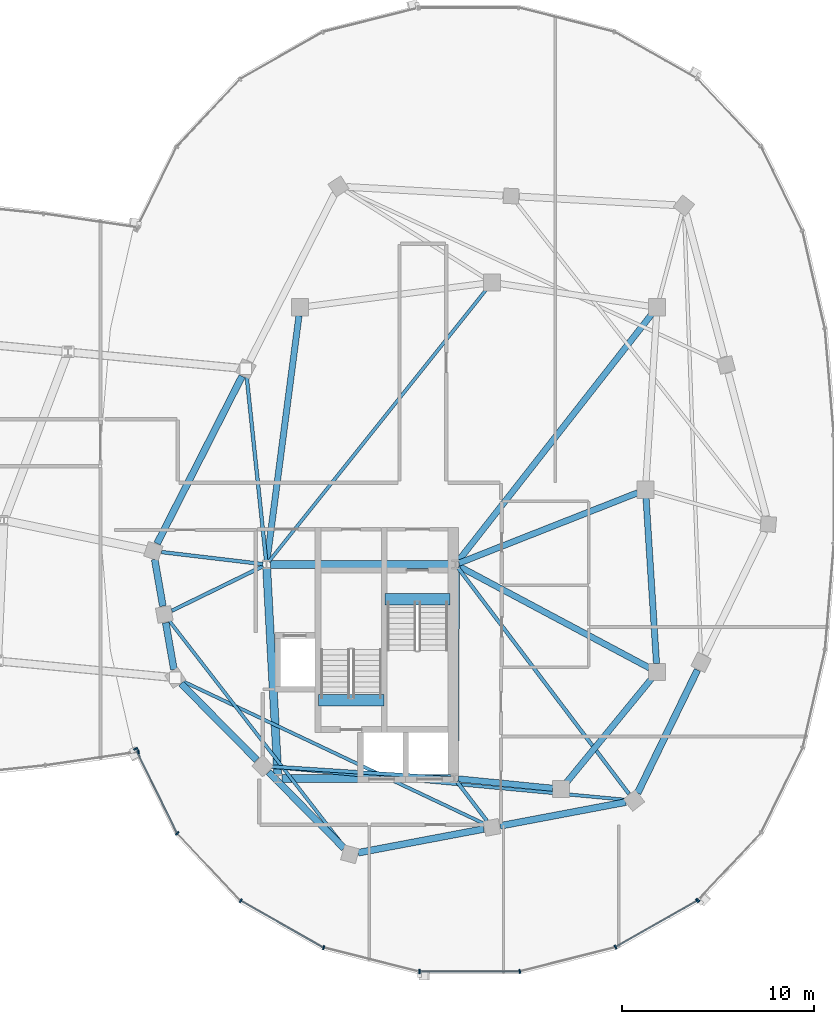
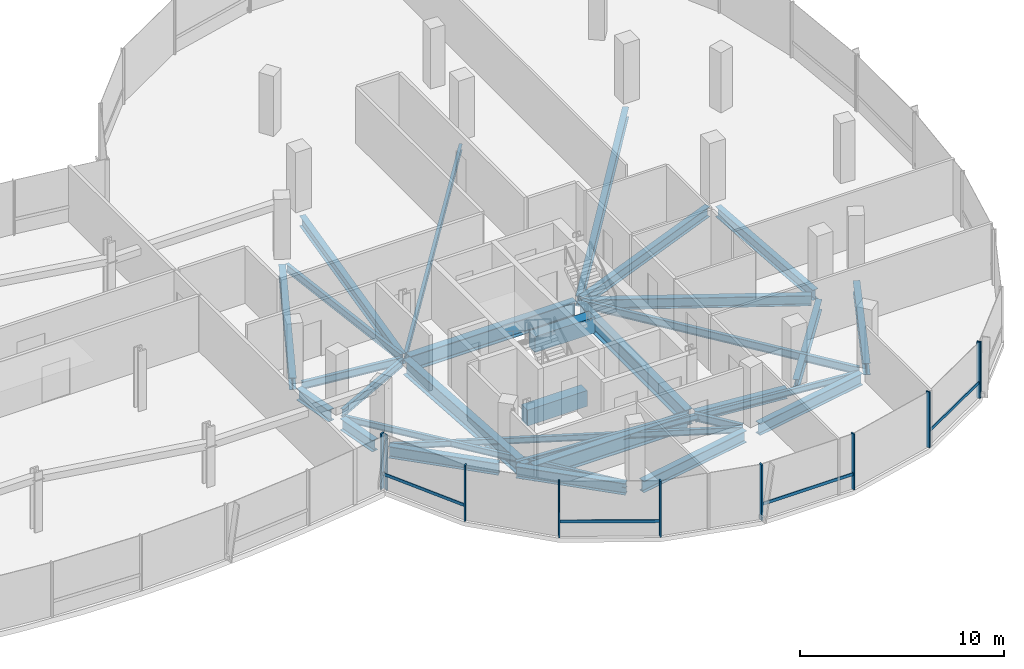
# One storey, part 8 of 25: 31 beams, 14 members, 3 elements without a shape of their own.
"""IFC4 building model written with IfcOpenShell, lengths in metres."""

from ifc_helpers import new_model, si_unit, direction, frame, origin, origin_2d, place, context, subcontext, project, spatial, rectangle, i_section, extrude, material, material_profile, profile_set, type_object, element, aggregate, save


model = new_model("IFC4")

# Units and contexts
model_context = context("Model", 3, precision=1e-05, world=origin(), true_north=direction((0.0, 1.0)))
body_context = subcontext(model_context, "Body", "Model", "MODEL_VIEW")
ifc_project = project(units=[si_unit("LENGTHUNIT", "METRE"), si_unit("AREAUNIT", "SQUARE_METRE"), si_unit("VOLUMEUNIT", "CUBIC_METRE"), si_unit("PLANEANGLEUNIT", "RADIAN"), si_unit("MASSUNIT", "GRAM", prefix="KILO"), si_unit("THERMODYNAMICTEMPERATUREUNIT", "KELVIN"), si_unit("POWERUNIT", "WATT")], contexts=[model_context])

# Site, building, storey
site_placement = place(None, origin())
site = spatial("IfcSite", under=ifc_project, at=site_placement, CompositionType="ELEMENT")
building_placement = place(site_placement, origin())
building = spatial("IfcBuilding", under=site, at=building_placement, Name="Cundina Bronze Exchange", CompositionType="ELEMENT")
storey_placement = place(building_placement, frame((0.0, 0.0, 239.60009765625)))
storey = spatial("IfcBuildingStorey", under=building, at=storey_placement, Name="L63", CompositionType="ELEMENT", Elevation=239.60009765625)

# Beams
ifc_material_1 = material(Name="Concrete C60/75", Category="concrete")
ifc_material_profile_1 = material_profile(ifc_material_1, rectangle(XDim=0.60009765625, YDim=0.949951171875, at=origin_2d()), Name="RC600X950", Category="concrete")
ifc_profile_set_1 = profile_set([ifc_material_profile_1], Name="Concrete C60/75")
beam_type_1 = type_object("IfcBeamType", Name="BM-COUP-RC950", PredefinedType="LINTEL", material=ifc_profile_set_1)
beam_1_placement = place(storey_placement, frame((27.6201171875, -5.719970703125, -0.47509765625), z_axis=(1.0, 0.0, 0.0), x_axis=(0.0, 1.0, 0.0)))
element("IfcBeam", 1, at=beam_1_placement, inside=storey, type_object=beam_type_1, Name="L63 Stair E1 Landing Header Beam", PredefinedType="LINTEL", context=body_context, shape_type="SweptSolid", body=[
    extrude(rectangle(XDim=0.60009765625, YDim=0.949951171875, at=origin_2d()), origin(), (0.0, 0.0, 1.0), 3.39990234375),
])
beam_2_placement = place(storey_placement, frame((24.159912109375, -10.97998046875, -0.47509765625), z_axis=(1.0, 0.0, 0.0), x_axis=(0.0, 1.0, 0.0)))
element("IfcBeam", 2, at=beam_2_placement, inside=storey, type_object=beam_type_1, Name="L63 Stair E2 Landing Header Beam", PredefinedType="LINTEL", context=body_context, shape_type="SweptSolid", body=[
    extrude(rectangle(XDim=0.60009765625, YDim=0.949951171875, at=origin_2d()), origin(), (0.0, 0.0, 1.0), 3.400146484375),
])
ifc_material_2 = material(Name="Steel ASTM A992 Grade 50", Category="steel")
ifc_material_profile_2 = material_profile(ifc_material_2, i_section(OverallWidth=0.19091796875, OverallDepth=0.4599609375, WebThickness=0.010009765625, FlangeThickness=0.01611328125, FilletRadius=0.011962890625, at=origin_2d()), Name="W18X55", Category="steel")
ifc_profile_set_2 = profile_set([ifc_material_profile_2], Name="Steel ASTM A992 Grade 50")
beam_type_2 = type_object("IfcBeamType", Name="BM-FLR-W18B", PredefinedType="BEAM", material=ifc_profile_set_2)
beam_3_placement = place(storey_placement, frame((21.25537109375, -3.876953125, -0.489990234375), z_axis=(-0.993036786722, 0.117804669761, 0.0), x_axis=(-0.117804669761, -0.993036786722, 0.0)))
element("IfcBeam", 3, at=beam_3_placement, inside=storey, type_object=beam_type_2, Name="L63 Leg E Chordal Floor Beam 00", PredefinedType="BEAM", context=body_context, shape_type="SweptSolid", body=[
    extrude(i_section(OverallWidth=0.19091796875, OverallDepth=0.4599609375, WebThickness=0.010009765625, FlangeThickness=0.01611328125, FilletRadius=0.011962890625, at=origin_2d()), origin(), (0.0, 0.0, 1.0), 5.307373046875),
])
beam_4_placement = place(storey_placement, frame((21.27392578125, -3.986083984375, -0.489990234375), z_axis=(-0.898613202677, -0.438741737214, 0.0), x_axis=(0.438741737214, -0.898613202677, 0.0)))
element("IfcBeam", 4, at=beam_4_placement, inside=storey, type_object=beam_type_2, Name="L63 Leg E Chordal Floor Beam 01", PredefinedType="BEAM", context=body_context, shape_type="SweptSolid", body=[
    extrude(i_section(OverallWidth=0.19091796875, OverallDepth=0.4599609375, WebThickness=0.010009765625, FlangeThickness=0.01611328125, FilletRadius=0.011962890625, at=origin_2d()), origin(), (0.0, 0.0, 1.0), 5.2919921875),
])
beam_5_placement = place(storey_placement, frame((31.054443359375, -15.037353515625, -0.489990234375), z_axis=(-0.997894145252, 0.064863509559, 0.0), x_axis=(-0.064863509559, -0.997894145252, 0.0)))
element("IfcBeam", 5, at=beam_5_placement, inside=storey, type_object=beam_type_2, Name="L63 Leg E Chordal Floor Beam 03", PredefinedType="BEAM", context=body_context, shape_type="SweptSolid", body=[
    extrude(i_section(OverallWidth=0.19091796875, OverallDepth=0.4599609375, WebThickness=0.010009765625, FlangeThickness=0.01611328125, FilletRadius=0.011962890625, at=origin_2d()), origin(), (0.0, 0.0, 1.0), 9.38720703125),
])
beam_6_placement = place(storey_placement, frame((31.369140625, -15.205810546875, -0.489990234375), z_axis=(0.60740437517, -0.794392802727, 0.0), x_axis=(0.794392802727, 0.60740437517, 0.0)))
element("IfcBeam", 6, at=beam_6_placement, inside=storey, type_object=beam_type_2, Name="L63 Leg E Chordal Floor Beam 05", PredefinedType="BEAM", context=body_context, shape_type="SweptSolid", body=[
    extrude(i_section(OverallWidth=0.19091796875, OverallDepth=0.4599609375, WebThickness=0.010009765625, FlangeThickness=0.01611328125, FilletRadius=0.011962890625, at=origin_2d()), origin(), (0.0, 0.0, 1.0), 2.575927734375),
])
beam_7_placement = place(storey_placement, frame((31.418212890625, -4.056396484375, -0.489990234375), z_axis=(0.603104943786, -0.797661849897, 0.0), x_axis=(0.797661849897, 0.603104943786, 0.0)))
element("IfcBeam", 7, at=beam_7_placement, inside=storey, type_object=beam_type_2, Name="L63 Leg E Chordal Floor Beam 06", PredefinedType="BEAM", context=body_context, shape_type="SweptSolid", body=[
    extrude(i_section(OverallWidth=0.19091796875, OverallDepth=0.4599609375, WebThickness=0.010009765625, FlangeThickness=0.01611328125, FilletRadius=0.011962890625, at=origin_2d()), origin(), (0.0, 0.0, 1.0), 14.785888671875),
])
beam_8_placement = place(storey_placement, frame((21.429443359375, -3.705078125, -0.489990234375), z_axis=(-0.104810251666, 0.994492237851, 0.0), x_axis=(-0.994492237851, -0.104810251666, 0.0)))
element("IfcBeam", 8, at=beam_8_placement, inside=storey, type_object=beam_type_2, Name="L63 Leg E Chordal Floor Beam 13", PredefinedType="BEAM", context=body_context, shape_type="SweptSolid", body=[
    extrude(i_section(OverallWidth=0.19091796875, OverallDepth=0.4599609375, WebThickness=0.010009765625, FlangeThickness=0.01611328125, FilletRadius=0.011962890625, at=origin_2d()), origin(), (0.0, 0.0, 1.0), 9.62255859375),
])
ifc_material_profile_3 = material_profile(ifc_material_2, i_section(OverallWidth=0.172119140625, OverallDepth=0.35791015625, WebThickness=0.0078125, FlangeThickness=0.01318359375, FilletRadius=0.010009765625, at=origin_2d()), Name="W14X38", Category="steel")
ifc_profile_set_3 = profile_set([ifc_material_profile_3], Name="Steel ASTM A992 Grade 50")
beam_type_3 = type_object("IfcBeamType", Name="BM-JST-W14", PredefinedType="JOIST", material=ifc_profile_set_3)
beam_9_placement = place(storey_placement, frame((21.572509765625, -3.746826171875, -0.439208984375), z_axis=(0.624364266872, 0.781133319129, 0.0), x_axis=(-0.781133319129, 0.624364266872, 0.0)))
element("IfcBeam", 9, at=beam_9_placement, inside=storey, type_object=beam_type_3, Name="L63 E Interior Core-to-Ring Joist 2", PredefinedType="JOIST", context=body_context, shape_type="SweptSolid", body=[
    extrude(i_section(OverallWidth=0.172119140625, OverallDepth=0.35791015625, WebThickness=0.0078125, FlangeThickness=0.01318359375, FilletRadius=0.010009765625, at=origin_2d()), origin(), (0.0, 0.0, 1.0), 18.184814453125),
])
beam_10_placement = place(storey_placement, frame((16.39306640625, -6.846435546875, -0.439208984375), z_axis=(0.612085793291, -0.790791364174, 0.0), x_axis=(0.790791364174, 0.612085793291, 0.0)))
element("IfcBeam", 10, at=beam_10_placement, inside=storey, type_object=beam_type_3, Name="L63 Leg E Lobe Floor Joist 01-04", PredefinedType="JOIST", context=body_context, shape_type="SweptSolid", body=[
    extrude(i_section(OverallWidth=0.172119140625, OverallDepth=0.35791015625, WebThickness=0.0078125, FlangeThickness=0.01318359375, FilletRadius=0.010009765625, at=origin_2d()), origin(), (0.0, 0.0, 1.0), 14.9306640625),
])
beam_11_placement = place(storey_placement, frame((17.095947265625, -9.9873046875, -0.439208984375), z_axis=(0.904073747204, -0.427376484632, 0.0), x_axis=(0.427376484632, 0.904073747204, 0.0)))
element("IfcBeam", 11, at=beam_11_placement, inside=storey, type_object=beam_type_3, Name="L63 Leg E Lobe Floor Joist 02-05", PredefinedType="JOIST", context=body_context, shape_type="SweptSolid", body=[
    extrude(i_section(OverallWidth=0.172119140625, OverallDepth=0.35791015625, WebThickness=0.0078125, FlangeThickness=0.01318359375, FilletRadius=0.010009765625, at=origin_2d()), origin(), (0.0, 0.0, 1.0), 17.374755859375),
])
beam_12_placement = place(storey_placement, frame((21.68603515625, -14.440673828125, -0.439208984375), z_axis=(0.9957017803, -0.092617302415, 0.0), x_axis=(0.092617302415, 0.9957017803, 0.0)))
element("IfcBeam", 12, at=beam_12_placement, inside=storey, type_object=beam_type_3, Name="L63 Leg E Lobe Floor Joist 03-06", PredefinedType="JOIST", context=body_context, shape_type="SweptSolid", body=[
    extrude(i_section(OverallWidth=0.172119140625, OverallDepth=0.35791015625, WebThickness=0.0078125, FlangeThickness=0.01318359375, FilletRadius=0.010009765625, at=origin_2d()), origin(), (0.0, 0.0, 1.0), 18.5576171875),
])
ifc_material_profile_4 = material_profile(ifc_material_2, i_section(OverallWidth=0.324951171875, OverallDepth=0.615966796875, WebThickness=0.013916015625, FlangeThickness=0.021484375, FilletRadius=0.01611328125, at=origin_2d()), Name="W24X117", Category="steel")
ifc_profile_set_4 = profile_set([ifc_material_profile_4], Name="Steel ASTM A992 Grade 50")
beam_type_4 = type_object("IfcBeamType", Name="BM-RING-W24", PredefinedType="USERDEFINED", material=ifc_profile_set_4)
beam_13_placement = place(storey_placement, frame((31.445068359375, -15.0693359375, -0.568115234375), z_axis=(0.995123854478, -0.09863323096, 0.0), x_axis=(0.09863323096, 0.995123854478, 0.0)))
element("IfcBeam", 13, at=beam_13_placement, inside=storey, type_object=beam_type_4, Name="L63 E Inner Structural Ring Girder 01", ObjectType="GIRDER", PredefinedType="USERDEFINED", context=body_context, shape_type="SweptSolid", body=[
    extrude(i_section(OverallWidth=0.324951171875, OverallDepth=0.615966796875, WebThickness=0.013916015625, FlangeThickness=0.021484375, FilletRadius=0.01611328125, at=origin_2d()), origin(), (0.0, 0.0, 1.0), 4.943115234375),
])
beam_14_placement = place(storey_placement, frame((37.07763671875, -15.26123046875, -0.568115234375), z_axis=(0.633912590175, 0.77340469873, 0.0), x_axis=(-0.77340469873, 0.633912590175, 0.0)))
element("IfcBeam", 14, at=beam_14_placement, inside=storey, type_object=beam_type_4, Name="L63 E Inner Structural Ring Girder 02", ObjectType="GIRDER", PredefinedType="USERDEFINED", context=body_context, shape_type="SweptSolid", body=[
    extrude(i_section(OverallWidth=0.324951171875, OverallDepth=0.615966796875, WebThickness=0.013916015625, FlangeThickness=0.021484375, FilletRadius=0.01611328125, at=origin_2d()), origin(), (0.0, 0.0, 1.0), 7.01123046875),
])
beam_15_placement = place(storey_placement, frame((41.7724609375, -9.06298828125, -0.568115234375), z_axis=(-0.063046519736, 0.998010589297, 0.0), x_axis=(-0.998010589297, -0.063046519736, 0.0)))
element("IfcBeam", 15, at=beam_15_placement, inside=storey, type_object=beam_type_4, Name="L63 E Inner Structural Ring Girder 03", ObjectType="GIRDER", PredefinedType="USERDEFINED", context=body_context, shape_type="SweptSolid", body=[
    extrude(i_section(OverallWidth=0.324951171875, OverallDepth=0.615966796875, WebThickness=0.013916015625, FlangeThickness=0.021484375, FilletRadius=0.01611328125, at=origin_2d()), origin(), (0.0, 0.0, 1.0), 8.64306640625),
])
beam_16_placement = place(storey_placement, frame((23.143310546875, 9.065673828125, -0.568115234375), z_axis=(-0.129501251979, -0.991579258424, 0.0), x_axis=(0.991579258424, -0.129501251979, 0.0)))
element("IfcBeam", 16, at=beam_16_placement, inside=storey, type_object=beam_type_4, Name="L63 E Inner Structural Ring Girder 07", ObjectType="GIRDER", PredefinedType="USERDEFINED", context=body_context, shape_type="SweptSolid", body=[
    extrude(i_section(OverallWidth=0.324951171875, OverallDepth=0.615966796875, WebThickness=0.013916015625, FlangeThickness=0.021484375, FilletRadius=0.01611328125, at=origin_2d()), origin(), (0.0, 0.0, 1.0), 12.8798828125),
])
beam_17_placement = place(storey_placement, frame((31.482421875, -3.828125, -0.568115234375), z_axis=(0.930404106569, 0.366535398673, 0.0), x_axis=(-0.366535398673, 0.930404106569, 0.0)))
element("IfcBeam", 17, at=beam_17_placement, inside=storey, type_object=beam_type_4, Name="L63 E Core-to-Waist Tie Beam 1", ObjectType="GIRDER", PredefinedType="USERDEFINED", context=body_context, shape_type="SweptSolid", body=[
    extrude(i_section(OverallWidth=0.324951171875, OverallDepth=0.615966796875, WebThickness=0.013916015625, FlangeThickness=0.021484375, FilletRadius=0.01611328125, at=origin_2d()), origin(), (0.0, 0.0, 1.0), 10.00634765625),
])
beam_18_placement = place(storey_placement, frame((31.472900390625, -3.9921875, -0.568115234375), z_axis=(0.882350541683, -0.470592734317, 0.0), x_axis=(0.470592734317, 0.882350541683, 0.0)))
element("IfcBeam", 18, at=beam_18_placement, inside=storey, type_object=beam_type_4, Name="L63 E Core-to-Waist Tie Beam 2", ObjectType="GIRDER", PredefinedType="USERDEFINED", context=body_context, shape_type="SweptSolid", body=[
    extrude(i_section(OverallWidth=0.324951171875, OverallDepth=0.615966796875, WebThickness=0.013916015625, FlangeThickness=0.021484375, FilletRadius=0.01611328125, at=origin_2d()), origin(), (0.0, 0.0, 1.0), 11.26611328125),
])
beam_19_placement = place(storey_placement, frame((31.4208984375, -3.74560546875, -0.568115234375), z_axis=(0.616782900053, 0.787133314123, 0.0), x_axis=(-0.787133314123, 0.616782900053, 0.0)))
element("IfcBeam", 19, at=beam_19_placement, inside=storey, type_object=beam_type_4, Name="L63 E Core-to-Waist Tie Beam 3", ObjectType="GIRDER", PredefinedType="USERDEFINED", context=body_context, shape_type="SweptSolid", body=[
    extrude(i_section(OverallWidth=0.324951171875, OverallDepth=0.615966796875, WebThickness=0.013916015625, FlangeThickness=0.021484375, FilletRadius=0.01611328125, at=origin_2d()), origin(), (0.0, 0.0, 1.0), 16.3896484375),
])
ifc_material_profile_5 = material_profile(ifc_material_2, i_section(OverallWidth=0.35498046875, OverallDepth=0.695068359375, WebThickness=0.015380859375, FlangeThickness=0.02490234375, FilletRadius=0.01806640625, at=origin_2d()), Name="W27X146", Category="steel")
ifc_profile_set_5 = profile_set([ifc_material_profile_5], Name="Steel ASTM A992 Grade 50")
beam_type_5 = type_object("IfcBeamType", Name="BM-RING-W27", PredefinedType="USERDEFINED", material=ifc_profile_set_5)
for number, where, z_axis, x_axis, name in (
    (20, (15.625244140625, -3.631591796875, -0.607666015625), (0.171628556628, -0.985161732179, 0.0), (0.985161732179, 0.171628556628, 0.0), "L63 E Perimeter Ring Girder 00"),
    (21, (16.2001953125, -6.931396484375, -0.607666015625), (0.171628556628, -0.985161732179, 0.0), (0.985161732179, 0.171628556628, 0.0), "L63 E Perimeter Ring Girder 01"),
):
    element("IfcBeam", number, at=place(storey_placement, frame(where, z_axis=z_axis, x_axis=x_axis)), inside=storey, type_object=beam_type_5, Name=name, ObjectType="GIRDER", PredefinedType="USERDEFINED", context=body_context, shape_type="SweptSolid", body=[
        extrude(i_section(OverallWidth=0.35498046875, OverallDepth=0.695068359375, WebThickness=0.015380859375, FlangeThickness=0.02490234375, FilletRadius=0.01806640625, at=origin_2d()), origin(), (0.0, 0.0, 1.0), 2.4736328125),
    ])
for number, where, z_axis, x_axis, name in (
    (22, (17.008056640625, -10.111328125, -0.607666015625), (0.703211928763, -0.710980297368, 0.0), (0.710980297368, 0.703211928763, 0.0), "L63 E Perimeter Ring Girder 02"),
    (23, (21.55810546875, -14.71142578125, -0.607666015625), (0.703211928763, -0.710980297368, 0.0), (0.710980297368, 0.703211928763, 0.0), "L63 E Perimeter Ring Girder 03"),
):
    element("IfcBeam", number, at=place(storey_placement, frame(where, z_axis=z_axis, x_axis=x_axis)), inside=storey, type_object=beam_type_5, Name=name, ObjectType="GIRDER", PredefinedType="USERDEFINED", context=body_context, shape_type="SweptSolid", body=[
        extrude(i_section(OverallWidth=0.35498046875, OverallDepth=0.695068359375, WebThickness=0.015380859375, FlangeThickness=0.02490234375, FilletRadius=0.01806640625, at=origin_2d()), origin(), (0.0, 0.0, 1.0), 5.593994140625),
    ])
beam_20_placement = place(storey_placement, frame((26.23046875, -18.918701171875, -0.607666015625), z_axis=(0.982565174657, 0.185918470175, 0.0), x_axis=(-0.185918470175, 0.982565174657, 0.0)))
element("IfcBeam", 24, at=beam_20_placement, inside=storey, type_object=beam_type_5, Name="L63 E Perimeter Ring Girder 04", ObjectType="GIRDER", PredefinedType="USERDEFINED", context=body_context, shape_type="SweptSolid", body=[
    extrude(i_section(OverallWidth=0.35498046875, OverallDepth=0.695068359375, WebThickness=0.015380859375, FlangeThickness=0.02490234375, FilletRadius=0.01806640625, at=origin_2d()), origin(), (0.0, 0.0, 1.0), 6.655029296875),
])
beam_21_placement = place(storey_placement, frame((33.63037109375, -17.5185546875, -0.607666015625), z_axis=(0.982573143022, 0.185876353022, 0.0), x_axis=(-0.185876353022, 0.982573143022, 0.0)))
element("IfcBeam", 25, at=beam_21_placement, inside=storey, type_object=beam_type_5, Name="L63 E Perimeter Ring Girder 05", ObjectType="GIRDER", PredefinedType="USERDEFINED", context=body_context, shape_type="SweptSolid", body=[
    extrude(i_section(OverallWidth=0.35498046875, OverallDepth=0.695068359375, WebThickness=0.015380859375, FlangeThickness=0.02490234375, FilletRadius=0.01806640625, at=origin_2d()), origin(), (0.0, 0.0, 1.0), 6.6552734375),
])
beam_22_placement = place(storey_placement, frame((40.79150390625, -15.80615234375, -0.607666015625), z_axis=(0.437173087764, 0.89937739094, 0.0), x_axis=(-0.89937739094, 0.437173087764, 0.0)))
element("IfcBeam", 26, at=beam_22_placement, inside=storey, type_object=beam_type_5, Name="L63 E Perimeter Ring Girder 06", ObjectType="GIRDER", PredefinedType="USERDEFINED", context=body_context, shape_type="SweptSolid", body=[
    extrude(i_section(OverallWidth=0.35498046875, OverallDepth=0.695068359375, WebThickness=0.015380859375, FlangeThickness=0.02490234375, FilletRadius=0.01806640625, at=origin_2d()), origin(), (0.0, 0.0, 1.0), 7.1298828125),
])
beam_23_placement = place(storey_placement, frame((20.1767578125, 5.909423828125, -0.607666015625), z_axis=(-0.452846871434, -0.891588308039, 0.0), x_axis=(0.891588308039, -0.452846871434, 0.0)))
element("IfcBeam", 27, at=beam_23_placement, inside=storey, type_object=beam_type_5, Name="L63 E Perimeter Ring Girder 13", ObjectType="GIRDER", PredefinedType="USERDEFINED", context=body_context, shape_type="SweptSolid", body=[
    extrude(i_section(OverallWidth=0.35498046875, OverallDepth=0.695068359375, WebThickness=0.015380859375, FlangeThickness=0.02490234375, FilletRadius=0.01806640625, at=origin_2d()), origin(), (0.0, 0.0, 1.0), 9.779052734375),
])
ifc_material_profile_6 = material_profile(ifc_material_2, i_section(OverallWidth=0.41796875, OverallDepth=0.927001953125, WebThickness=0.019287109375, FlangeThickness=0.031982421875, FilletRadius=0.02392578125, at=origin_2d()), Name="W36X231", Category="steel")
ifc_profile_set_6 = profile_set([ifc_material_profile_6], Name="Steel ASTM A992 Grade 50")
beam_type_6 = type_object("IfcBeamType", Name="BM-WRN-W36B", PredefinedType="USERDEFINED", material=ifc_profile_set_6)
beam_24_placement = place(storey_placement, frame((31.10400390625, -3.89990234375, -0.7236328125), z_axis=(-1.0, 0.0, 0.0), x_axis=(0.0, -1.0, 0.0)))
element("IfcBeam", 28, at=beam_24_placement, inside=storey, type_object=beam_type_6, Name="L63 E Core Perimeter Tie Girder 1", ObjectType="GIRDER", PredefinedType="USERDEFINED", context=body_context, shape_type="SweptSolid", body=[
    extrude(i_section(OverallWidth=0.41796875, OverallDepth=0.927001953125, WebThickness=0.019287109375, FlangeThickness=0.031982421875, FilletRadius=0.02392578125, at=origin_2d()), origin(), (0.0, 0.0, 1.0), 9.4580078125),
])
beam_25_placement = place(storey_placement, frame((21.46044921875, -4.095703125, -0.7236328125), z_axis=(0.053749317644, -0.998554460634, 0.0), x_axis=(0.998554460634, 0.053749317644, 0.0)))
element("IfcBeam", 29, at=beam_25_placement, inside=storey, type_object=beam_type_6, Name="L63 E Core Perimeter Tie Girder 2", ObjectType="GIRDER", PredefinedType="USERDEFINED", context=body_context, shape_type="SweptSolid", body=[
    extrude(i_section(OverallWidth=0.41796875, OverallDepth=0.927001953125, WebThickness=0.019287109375, FlangeThickness=0.031982421875, FilletRadius=0.02392578125, at=origin_2d()), origin(), (0.0, 0.0, 1.0), 10.774169921875),
])
beam_26_placement = place(storey_placement, frame((22.24609375, -15.050048828125, -0.7236328125), z_axis=(1.0, 0.0, 0.0), x_axis=(0.0, 1.0, 0.0)))
element("IfcBeam", 30, at=beam_26_placement, inside=storey, type_object=beam_type_6, Name="L63 E Core Perimeter Tie Girder 3", ObjectType="GIRDER", PredefinedType="USERDEFINED", context=body_context, shape_type="SweptSolid", body=[
    extrude(i_section(OverallWidth=0.41796875, OverallDepth=0.927001953125, WebThickness=0.019287109375, FlangeThickness=0.031982421875, FilletRadius=0.02392578125, at=origin_2d()), origin(), (0.0, 0.0, 1.0), 8.807861328125),
])
beam_27_placement = place(storey_placement, frame((31.2509765625, -14.85400390625, -0.7236328125), z_axis=(0.004470623654, 0.999990006712, 0.0), x_axis=(-0.999990006712, 0.004470623654, 0.0)))
element("IfcBeam", 31, at=beam_27_placement, inside=storey, type_object=beam_type_6, Name="L63 E Core Perimeter Tie Girder 4", ObjectType="GIRDER", PredefinedType="USERDEFINED", context=body_context, shape_type="SweptSolid", body=[
    extrude(i_section(OverallWidth=0.41796875, OverallDepth=0.927001953125, WebThickness=0.019287109375, FlangeThickness=0.031982421875, FilletRadius=0.02392578125, at=origin_2d()), origin(), (0.0, 0.0, 1.0), 10.758056640625),
])

# Curtain wall, members
ifc_material_3 = material(Name="Anodised Bronze Aluminium 6063-T6", Category="aluminium")
curtain_wall_type = type_object("IfcCurtainWallType", Name="CWS-SKG-BRG", PredefinedType="NOTDEFINED", material=ifc_material_3)
curtain_wall_1_placement = place(storey_placement, origin())
curtain_wall_1 = element("IfcCurtainWall", 32, at=curtain_wall_1_placement, inside=storey, type_object=curtain_wall_type, Name="L63 CW-06 Curtain Wall Run CWR-L63-E3", PredefinedType="NOTDEFINED")
ifc_material_profile_7 = material_profile(ifc_material_3, rectangle(XDim=0.074951171875, YDim=0.219970703125, at=origin_2d()), Name="AL75X220", Category="aluminium")
ifc_profile_set_7 = profile_set([ifc_material_profile_7], Name="Anodised Bronze Aluminium 6063-T6")
member_type_1 = type_object("IfcMemberType", Name="CWM-MUL-220", PredefinedType="MULLION", material=ifc_profile_set_7)
member_1_placement = place(storey_placement, frame((14.630859375, -13.50390625, 0.0), z_axis=(0.0, 0.0, 1.0), x_axis=(0.440566004113, -0.897720221461, 0.0)))
member_1 = element("IfcMember", 33, at=member_1_placement, type_object=member_type_1, Name="CW-06 Mullion 1", PredefinedType="MULLION", context=body_context, shape_type="SweptSolid", body=[
    extrude(rectangle(XDim=0.074951171875, YDim=0.219970703125, at=origin_2d()), origin(), (0.0, 0.0, 1.0), 3.33984375),
])
member_2_placement = place(storey_placement, frame((16.8037109375, -17.910400390625, 0.0), z_axis=(0.0, 0.0, 1.0), x_axis=(0.684292606175, -0.729207535023, 0.0)))
member_2 = element("IfcMember", 34, at=member_2_placement, type_object=member_type_1, Name="CW-06 Mullion 2", PredefinedType="MULLION", context=body_context, shape_type="SweptSolid", body=[
    extrude(rectangle(XDim=0.074951171875, YDim=0.219970703125, at=origin_2d()), origin(), (0.0, 0.0, 1.0), 3.33984375),
])
member_3_placement = place(storey_placement, frame((20.11083984375, -21.419921875, 0.0), z_axis=(0.0, 0.0, 1.0), x_axis=(0.86958112538, -0.493790103568, 0.0)))
member_3 = element("IfcMember", 35, at=member_3_placement, type_object=member_type_1, Name="CW-06 Mullion 3", PredefinedType="MULLION", context=body_context, shape_type="SweptSolid", body=[
    extrude(rectangle(XDim=0.074951171875, YDim=0.219970703125, at=origin_2d()), origin(), (0.0, 0.0, 1.0), 3.33984375),
])
member_4_placement = place(storey_placement, frame((24.4296875, -23.86181640625, 0.0), z_axis=(0.0, 0.0, 1.0), x_axis=(0.969744325821, -0.244122802168, 0.0)))
member_4 = element("IfcMember", 36, at=member_4_placement, type_object=member_type_1, Name="CW-06 Mullion 4", PredefinedType="MULLION", context=body_context, shape_type="SweptSolid", body=[
    extrude(rectangle(XDim=0.074951171875, YDim=0.219970703125, at=origin_2d()), origin(), (0.0, 0.0, 1.0), 3.33984375),
])
member_5_placement = place(storey_placement, frame((29.423583984375, -25.110107421875, 0.0), z_axis=(0.0, 0.0, 1.0), x_axis=(1.0, 0.0, 0.0)))
member_5 = element("IfcMember", 37, at=member_5_placement, type_object=member_type_1, Name="CW-06 Mullion 5", PredefinedType="MULLION", context=body_context, shape_type="SweptSolid", body=[
    extrude(rectangle(XDim=0.074951171875, YDim=0.219970703125, at=origin_2d()), origin(), (0.0, 0.0, 1.0), 3.33984375),
])
member_6_placement = place(storey_placement, frame((34.648193359375, -25.10107421875, 0.0), z_axis=(0.0, 0.0, 1.0), x_axis=(0.969744325821, 0.244122802168, 0.0)))
member_6 = element("IfcMember", 38, at=member_6_placement, type_object=member_type_1, Name="CW-06 Mullion 6", PredefinedType="MULLION", context=body_context, shape_type="SweptSolid", body=[
    extrude(rectangle(XDim=0.074951171875, YDim=0.219970703125, at=origin_2d()), origin(), (0.0, 0.0, 1.0), 3.33984375),
])
member_7_placement = place(storey_placement, frame((39.634521484375, -23.8359375, 0.0), z_axis=(0.0, 0.0, 1.0), x_axis=(0.86958112538, 0.493790103568, 0.0)))
member_7 = element("IfcMember", 39, at=member_7_placement, type_object=member_type_1, Name="CW-06 Mullion 7", PredefinedType="MULLION", context=body_context, shape_type="SweptSolid", body=[
    extrude(rectangle(XDim=0.074951171875, YDim=0.219970703125, at=origin_2d()), origin(), (0.0, 0.0, 1.0), 3.33984375),
])
member_8_placement = place(storey_placement, frame((43.88916015625, -21.419921875, 0.0), z_axis=(0.0, 0.0, 1.0), x_axis=(0.86958112538, 0.493790103568, 0.0)))
member_8 = element("IfcMember", 40, at=member_8_placement, type_object=member_type_1, Name="CW-06 End Mullion", PredefinedType="MULLION", context=body_context, shape_type="SweptSolid", body=[
    extrude(rectangle(XDim=0.074951171875, YDim=0.219970703125, at=origin_2d()), origin(), (0.0, 0.0, 1.0), 3.33984375),
])

# Curtain wall, member
curtain_wall_2_placement = place(storey_placement, origin())
curtain_wall_2 = element("IfcCurtainWall", 41, at=curtain_wall_2_placement, inside=storey, type_object=curtain_wall_type, Name="L63 CW-06 Curtain Wall Run CWR-L63-E4", PredefinedType="NOTDEFINED")
member_9_placement = place(storey_placement, frame((43.940185546875, -21.3798828125, 0.0), z_axis=(0.0, 0.0, 1.0), x_axis=(0.684292606175, 0.729207535023, 0.0)))
member_9 = element("IfcMember", 42, at=member_9_placement, type_object=member_type_1, Name="CW-06 Mullion 1", PredefinedType="MULLION", context=body_context, shape_type="SweptSolid", body=[
    extrude(rectangle(XDim=0.074951171875, YDim=0.219970703125, at=origin_2d()), origin(), (0.0, 0.0, 1.0), 3.33984375),
])
aggregate(curtain_wall_2, [member_9])

curtain_wall_3_placement = place(storey_placement, origin())
curtain_wall_3 = element("IfcCurtainWall", 43, at=curtain_wall_3_placement, inside=storey, type_object=curtain_wall_type, Name="L63 CW-06 Curtain Wall Run CWR-L63-BRGS", PredefinedType="NOTDEFINED")
member_10_placement = place(storey_placement, frame((14.779296875, -13.658935546875, 0.0), z_axis=(0.0, 0.0, 1.0), x_axis=(0.989525789069, 0.144356201001, 0.0)))
member_10 = element("IfcMember", 44, at=member_10_placement, type_object=member_type_1, Name="CW-06 End Mullion", PredefinedType="MULLION", context=body_context, shape_type="SweptSolid", body=[
    extrude(rectangle(XDim=0.074951171875, YDim=0.219970703125, at=origin_2d()), origin(), (0.0, 0.0, 1.0), 3.27978515625),
])
aggregate(curtain_wall_3, [member_10])

# Member
ifc_material_profile_8 = material_profile(ifc_material_3, rectangle(XDim=0.070068359375, YDim=0.179931640625, at=origin_2d()), Name="AL70X180", Category="aluminium")
ifc_profile_set_8 = profile_set([ifc_material_profile_8], Name="Anodised Bronze Aluminium 6063-T6")
member_type_2 = type_object("IfcMemberType", Name="CWM-TRN-180", PredefinedType="USERDEFINED", material=ifc_profile_set_8)
member_11_placement = place(storey_placement, frame((14.64892578125, -13.541015625, 0.919921875), z_axis=(0.440554408939, -0.897725911826, 0.0), x_axis=(0.897725911826, 0.440554408939, 0.0)))
member_11 = element("IfcMember", 45, at=member_11_placement, type_object=member_type_2, Name="CW-06 Spandrel Transom 1", ObjectType="TRANSOM", PredefinedType="USERDEFINED", context=body_context, shape_type="SweptSolid", body=[
    extrude(rectangle(XDim=0.070068359375, YDim=0.179931640625, at=origin_2d()), origin(), (0.0, 0.0, 1.0), 4.848388671875),
])

member_12_placement = place(storey_placement, frame((20.146728515625, -21.440185546875, 0.919921875), z_axis=(0.869557366176, -0.493831941989, 0.0), x_axis=(0.493831941989, 0.869557366176, 0.0)))
member_12 = element("IfcMember", 46, at=member_12_placement, type_object=member_type_2, Name="CW-06 Spandrel Transom 3", ObjectType="TRANSOM", PredefinedType="USERDEFINED", context=body_context, shape_type="SweptSolid", body=[
    extrude(rectangle(XDim=0.070068359375, YDim=0.179931640625, at=origin_2d()), origin(), (0.0, 0.0, 1.0), 4.892822265625),
])

member_13_placement = place(storey_placement, frame((29.464599609375, -25.110107421875, 0.919921875), z_axis=(1.0, 0.0, 0.0), x_axis=(0.0, 1.0, 0.0)))
member_13 = element("IfcMember", 47, at=member_13_placement, type_object=member_type_2, Name="CW-06 Spandrel Transom 5", ObjectType="TRANSOM", PredefinedType="USERDEFINED", context=body_context, shape_type="SweptSolid", body=[
    extrude(rectangle(XDim=0.070068359375, YDim=0.179931640625, at=origin_2d()), origin(), (0.0, 0.0, 1.0), 5.1533203125),
])

member_14_placement = place(storey_placement, frame((39.67041015625, -23.815673828125, 0.919921875), z_axis=(0.869558105282, 0.493830640542, 0.0), x_axis=(-0.493830640542, 0.869558105282, 0.0)))
member_14 = element("IfcMember", 48, at=member_14_placement, type_object=member_type_2, Name="CW-06 Spandrel Transom 7", ObjectType="TRANSOM", PredefinedType="USERDEFINED", context=body_context, shape_type="SweptSolid", body=[
    extrude(rectangle(XDim=0.070068359375, YDim=0.179931640625, at=origin_2d()), origin(), (0.0, 0.0, 1.0), 4.810302734375),
])

aggregate(curtain_wall_1, [member_1, member_11, member_2, member_3, member_12, member_4, member_5, member_13, member_6, member_7, member_8, member_14])

save(model, "model.ifc")
